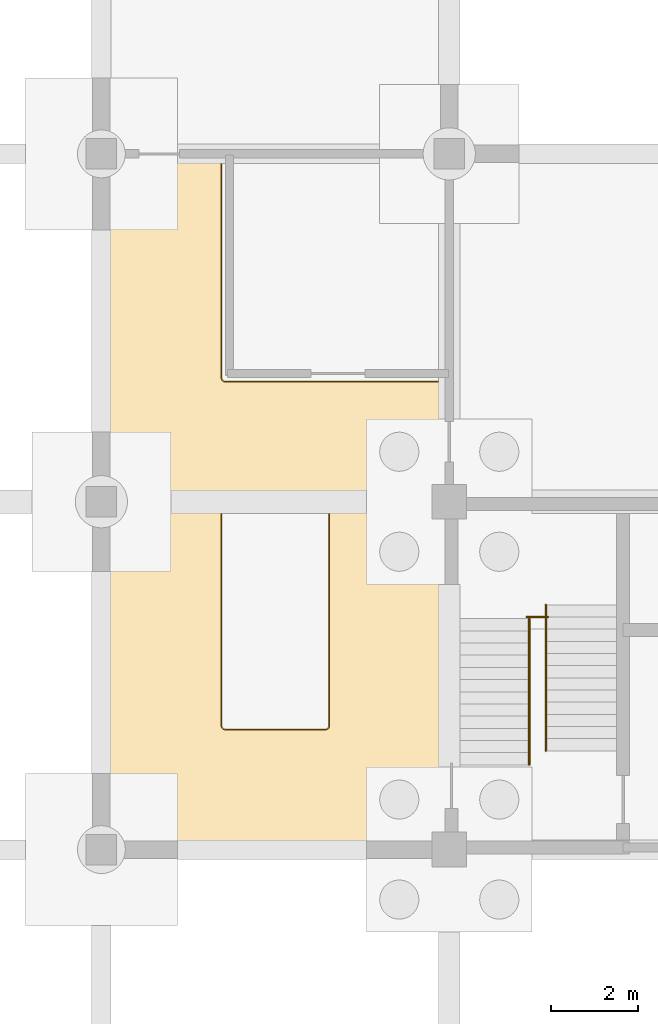
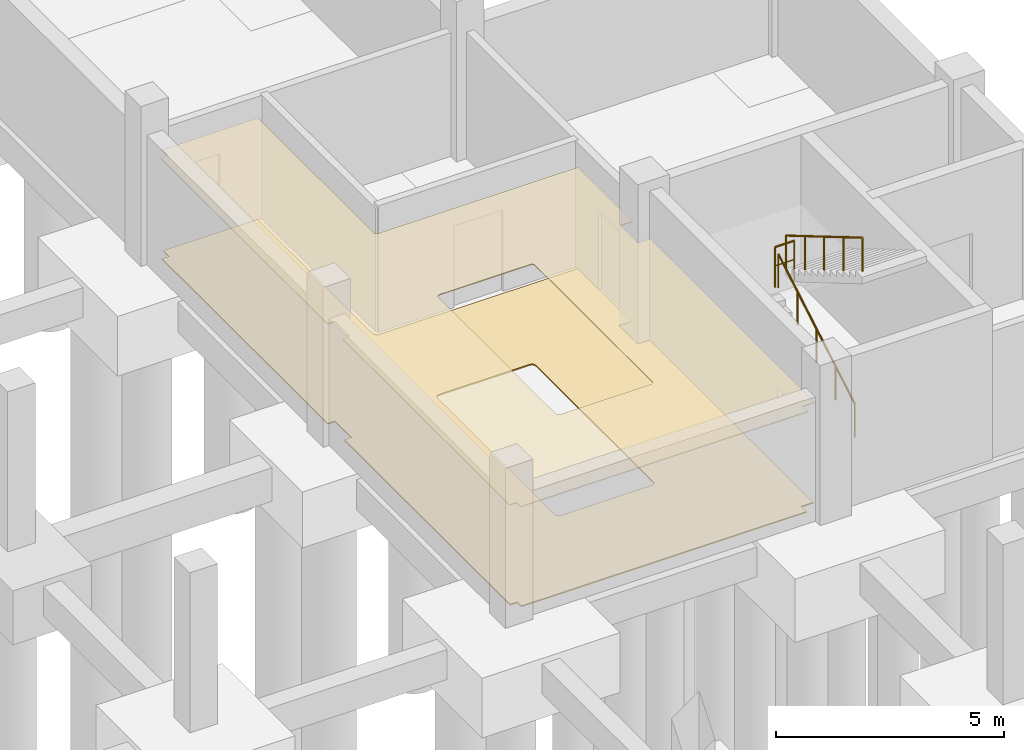
# One storey, part 45 of 48: 3 railings, 2 coverings.
"""IFC4 building model written with IfcOpenShell, lengths in metres."""

import ifcopenshell
import ifcopenshell.guid

model = None  # the IFC model being written
_history = None  # IfcOwnerHistory: only IFC2X3 demands one
_inside = {}  # id of a spatial element -> (the spatial element, [elements in it])
_under = {}  # id of a project, library or spatial element -> (it, [spatial elements below it])
_declared = {}  # id of a project -> (the project, [libraries it declares])
_typed = {}  # id of a type object -> (the type object, [elements of that type])
_made_of = {}  # id of a material, layer set ... -> (it, [elements and type objects made of it])


def new_model(schema):
    """Start an empty IFC model of exactly this schema.

    Asked for "IFC4X3", IfcOpenShell would pick the latest addendum, in which some entities
    have other attributes; the version numbers below select the first issue.
    IFC2X3 requires an IfcOwnerHistory on every rooted entity: one is made here for all.
    """
    global model, _history
    if schema == "IFC4X3":
        model = ifcopenshell.file(schema_version=(4, 3, 0, 0))
    else:
        model = ifcopenshell.file(schema=schema)
    _inside.clear()
    _under.clear()
    _declared.clear()
    _typed.clear()
    _made_of.clear()
    _history = None
    if model.schema == "IFC2X3":
        org = make("IfcOrganization", Name="unknown")
        user = make(
            "IfcPersonAndOrganization",
            ThePerson=make("IfcPerson", FamilyName="unknown"),
            TheOrganization=org,
        )
        app = make(
            "IfcApplication",
            ApplicationDeveloper=org,
            Version="unknown",
            ApplicationFullName="unknown",
            ApplicationIdentifier="unknown",
        )
        _history = make(
            "IfcOwnerHistory",
            OwningUser=user,
            OwningApplication=app,
            ChangeAction="ADDED",
            CreationDate=0,
        )
    return model


def make(cls, **values):
    """One entity of the class cls with the attributes given. An attribute that is None is left unset."""
    return model.create_entity(
        cls, **{name: value for name, value in values.items() if value is not None}
    )


def rooted(cls, **values):
    """An entity with a GlobalId (a new one), such as an element, a storey or a relation."""
    return make(cls, GlobalId=ifcopenshell.guid.new(), OwnerHistory=_history, **values)


def si_unit(unit_type, name, prefix=None):
    """IfcSIUnit, for example si_unit("LENGTHUNIT", "METRE", prefix="MILLI")."""
    return make("IfcSIUnit", UnitType=unit_type, Prefix=prefix, Name=name)


def derived_unit(unit_type, elements):
    """IfcDerivedUnit: a product of units, each with its exponent."""
    return make(
        "IfcDerivedUnit",
        Elements=[
            make("IfcDerivedUnitElement", Unit=unit, Exponent=power)
            for unit, power in elements
        ],
        UnitType=unit_type,
    )


def assignment(units):
    """IfcUnitAssignment: the units of a project."""
    return None if units is None else make("IfcUnitAssignment", Units=units)


def point(xyz):
    """IfcCartesianPoint."""
    return None if xyz is None else make("IfcCartesianPoint", Coordinates=xyz)


def direction(xyz):
    """IfcDirection."""
    return None if xyz is None else make("IfcDirection", DirectionRatios=xyz)


def frame(location, z_axis=None, x_axis=None):
    """IfcAxis2Placement3D, a coordinate frame: its origin and axes. An axis left out is left unset."""
    return make(
        "IfcAxis2Placement3D",
        Location=point(location),
        Axis=direction(z_axis),
        RefDirection=direction(x_axis),
    )


def frame_2d(location, x_axis=None):
    """IfcAxis2Placement2D, a coordinate frame in the plane: its origin and x axis."""
    return make(
        "IfcAxis2Placement2D", Location=point(location), RefDirection=direction(x_axis)
    )


def origin():
    """The frame at (0, 0, 0) with its axes left unset."""
    return frame((0.0, 0.0, 0.0))


def origin_2d():
    """The frame at (0, 0) in the plane with its x axis left unset."""
    return frame_2d((0.0, 0.0))


def place(relative_to, where):
    """IfcLocalPlacement: puts the frame where relative to a parent placement (None: the world)."""
    return make(
        "IfcLocalPlacement", PlacementRelTo=relative_to, RelativePlacement=where
    )


def context(
    kind, dimensions, precision=None, world=None, true_north=None, identifier=None
):
    """IfcGeometricRepresentationContext, for example the 3D "Model" context."""
    return make(
        "IfcGeometricRepresentationContext",
        ContextIdentifier=identifier,
        ContextType=kind,
        CoordinateSpaceDimension=dimensions,
        Precision=precision,
        WorldCoordinateSystem=world,
        TrueNorth=true_north,
    )


def subcontext(parent, identifier, kind, view, scale=None):
    """IfcGeometricRepresentationSubContext, for example "Body" below "Model"."""
    return make(
        "IfcGeometricRepresentationSubContext",
        ContextIdentifier=identifier,
        ContextType=kind,
        ParentContext=parent,
        TargetScale=scale,
        TargetView=view,
    )


def project(units=None, contexts=None):
    """IfcProject with its units and contexts."""
    return rooted(
        "IfcProject",
        Name="project",
        RepresentationContexts=contexts,
        UnitsInContext=assignment(units),
    )


def spatial(cls, under=None, at=None, **own):
    """A site, building, storey or space (cls), placed at a placement, below another one or the project."""
    s = rooted(cls, ObjectPlacement=at, **own)
    if under is not None:
        _under.setdefault(under.id(), (under, []))[1].append(s)
    return s


def polyline(points):
    """IfcPolyline through the points."""
    return make("IfcPolyline", Points=[point(p) for p in points])


def profile(cls, at=None, kind="AREA", **sizes):
    """A parametric profile (cls). Its sizes go by their IFC names, for example OverallWidth=200.0."""
    return make(cls, ProfileType=kind, Position=at, **sizes)


def circle(**sizes):
    """IfcCircleProfileDef."""
    return profile("IfcCircleProfileDef", **sizes)


def outline(outer, holes=None, kind="AREA"):
    """IfcArbitraryClosedProfileDef: a profile drawn as a closed curve; with holes, ...WithVoids."""
    if holes is None:
        return make("IfcArbitraryClosedProfileDef", ProfileType=kind, OuterCurve=outer)
    return make(
        "IfcArbitraryProfileDefWithVoids",
        ProfileType=kind,
        OuterCurve=outer,
        InnerCurves=holes,
    )


def extrude(swept, where, along, depth):
    """IfcExtrudedAreaSolid: the profile swept, set in the frame where, extruded along a direction by depth."""
    return make(
        "IfcExtrudedAreaSolid",
        SweptArea=swept,
        Position=where,
        ExtrudedDirection=direction(along),
        Depth=depth,
    )


def shape(context_of_items, identifier, shape_type, items):
    """IfcShapeRepresentation: the items that make up one representation, for example the "Body"."""
    return make(
        "IfcShapeRepresentation",
        ContextOfItems=context_of_items,
        RepresentationIdentifier=identifier,
        RepresentationType=shape_type,
        Items=items,
    )


def material(Name=None, Category=None):
    """IfcMaterial."""
    return make("IfcMaterial", Name=Name, Category=Category)


def layer(
    of_material, thickness, ventilated=None, Name=None, Category=None, Priority=None
):
    """IfcMaterialLayer: one layer of a wall or slab, of a material (None: an air gap)."""
    return make(
        "IfcMaterialLayer",
        Material=of_material,
        LayerThickness=thickness,
        IsVentilated=ventilated,
        Name=Name,
        Category=Category,
        Priority=Priority,
    )


def layer_set(layers, Name=None):
    """IfcMaterialLayerSet."""
    return make("IfcMaterialLayerSet", MaterialLayers=layers, LayerSetName=Name)


def made_of(thing, what):
    """Note that an element or type object is made of a material, layer set ...; save() writes the relation."""
    if what is not None:
        _made_of.setdefault(what.id(), (what, []))[1].append(thing)
    return thing


def type_object(cls, material=None, **own):
    """A type object (cls), such as IfcWallType, which elements share."""
    return made_of(rooted(cls, **own), material)


def element(
    cls,
    number,
    at=None,
    inside=None,
    cuts=None,
    type_object=None,
    material=None,
    context=None,
    identifier="Body",
    shape_type=None,
    held_by="IfcProductDefinitionShape",
    body=None,
    shapes=None,
    **own,
):
    """One element of the class cls, such as IfcWall. Its Tag is "e" and its number.

    at: its placement. inside: the storey or other place that contains it. cuts: it is an
    opening in that element (IfcRelVoidsElement). A single representation is given by context,
    identifier, shape_type and body (its items); several are given by shapes. held_by: the class
    of the entity that holds the representations. save() writes the other relations.
    """
    e = rooted(cls, Tag="e%d" % number, ObjectPlacement=at, **own)
    if body is not None:
        shapes = [shape(context, identifier, shape_type, body)]
    if shapes is not None:
        e.Representation = make(held_by, Representations=shapes)
    if inside is not None:
        _inside.setdefault(inside.id(), (inside, []))[1].append(e)
    if cuts is not None:
        rooted(
            "IfcRelVoidsElement", RelatingBuildingElement=cuts, RelatedOpeningElement=e
        )
    if type_object is not None:
        _typed.setdefault(type_object.id(), (type_object, []))[1].append(e)
    return made_of(e, material)


def aggregate(whole, parts):
    """IfcRelAggregates: a whole, such as a stair, and the parts it consists of."""
    return rooted("IfcRelAggregates", RelatingObject=whole, RelatedObjects=parts)


def save(model, path):
    """Write the relations noted so far, then the file.

    IfcRelAggregates (storeys below a building ...), IfcRelContainedInSpatialStructure (elements
    in a storey), IfcRelDefinesByType, IfcRelAssociatesMaterial and IfcRelDeclares: one each for
    every whole, place, type object, material and project.
    """
    for whole, parts in _under.values():
        aggregate(whole, parts)
    for where, things in _inside.values():
        rooted(
            "IfcRelContainedInSpatialStructure",
            RelatedElements=things,
            RelatingStructure=where,
        )
    for kind, things in _typed.values():
        rooted("IfcRelDefinesByType", RelatedObjects=things, RelatingType=kind)
    for what, things in _made_of.values():
        rooted("IfcRelAssociatesMaterial", RelatedObjects=things, RelatingMaterial=what)
    for by, libraries in _declared.values():
        rooted("IfcRelDeclares", RelatingContext=by, RelatedDefinitions=libraries)
    model.write(path)


model = new_model("IFC4")

# Units and contexts
model_context = context("Model", 3, precision=1e-05, world=origin(), true_north=direction((0.0, 1.0)))
body_context = subcontext(model_context, "Body", "Model", "MODEL_VIEW")
ifc_project = project(units=[si_unit("LENGTHUNIT", "METRE"), si_unit("AREAUNIT", "SQUARE_METRE"), si_unit("VOLUMEUNIT", "CUBIC_METRE"), si_unit("PLANEANGLEUNIT", "RADIAN"), si_unit("MASSUNIT", "GRAM", prefix="KILO"), derived_unit("THERMALTRANSMITTANCEUNIT", [(si_unit("MASSUNIT", "GRAM", prefix="KILO"), 1), (si_unit("TIMEUNIT", "SECOND"), -3), (si_unit("THERMODYNAMICTEMPERATUREUNIT", "KELVIN"), -1)])], contexts=[model_context])

# Site, building, storey
site_placement = place(None, origin())
site = spatial("IfcSite", under=ifc_project, at=site_placement, CompositionType="ELEMENT")
building_placement = place(site_placement, origin())
building = spatial("IfcBuilding", under=site, at=building_placement, Name="Veyamyaing Civic Hall", CompositionType="ELEMENT")
storey_placement = place(building_placement, frame((0.0, 0.0, -4.2900390625)))
storey = spatial("IfcBuildingStorey", under=building, at=storey_placement, Name="B1", CompositionType="ELEMENT", Elevation=-4.2900390625)

# Coverings
ifc_material_1 = material(Name="Perforated acoustic gypsum ceiling board")
ifc_layer_1 = layer(ifc_material_1, 0.02490234375, Name="Perforated acoustic gypsum ceiling board")
ifc_layer_set_1 = layer_set([ifc_layer_1], Name="Perforated acoustic gypsum ceiling board")
covering_type_1 = type_object("IfcCoveringType", Name="CLG-01", PredefinedType="CEILING", material=ifc_layer_set_1)
covering_1_placement = place(storey_placement, frame((0.0, 0.0, 2.699951171875)))
element("IfcCovering", 1, at=covering_1_placement, inside=storey, type_object=covering_type_1, Name="Acoustic suspended ceiling CLG-01 B1-C07", PredefinedType="CEILING", context=body_context, shape_type="SweptSolid", body=[
    extrude(outline(polyline([(162.77490234375, 26.8525390625), (162.78125, 26.821533203125), (162.79736328125, 26.79736328125), (162.821533203125, 26.78125), (162.8525390625, 26.77490234375), (167.925048828125, 26.77490234375), (167.925048828125, 24.385009765625), (167.614990234375, 24.385009765625), (167.614990234375, 23.614990234375), (167.925048828125, 23.614990234375), (167.925048828125, 16.385009765625), (167.614990234375, 16.385009765625), (167.614990234375, 16.155029296875), (160.3349609375, 16.155029296875), (160.3349609375, 16.3349609375), (160.155029296875, 16.3349609375), (160.155029296875, 23.6650390625), (160.3349609375, 23.6650390625), (160.3349609375, 24.3349609375), (160.155029296875, 24.3349609375), (160.155029296875, 31.6650390625), (160.3349609375, 31.6650390625), (160.3349609375, 31.925048828125), (162.77490234375, 31.925048828125), (162.77490234375, 26.8525390625)]), holes=[polyline([(165.1650390625, 18.77685546875), (165.1845703125, 18.783935546875), (165.2080078125, 18.80322265625), (165.21875, 18.82080078125), (165.22509765625, 18.8525390625), (165.22509765625, 23.99755859375), (165.21875, 24.029296875), (165.207763671875, 24.04736328125), (165.19140625, 24.06201171875), (165.171630859375, 24.071533203125), (165.148193359375, 24.074951171875), (162.8525390625, 24.074951171875), (162.82080078125, 24.068603515625), (162.802490234375, 24.057861328125), (162.787841796875, 24.04150390625), (162.778564453125, 24.021728515625), (162.77490234375, 23.998291015625), (162.77490234375, 18.8525390625), (162.78125, 18.82080078125), (162.792236328125, 18.802490234375), (162.80859375, 18.787841796875), (162.828369140625, 18.778564453125), (162.851806640625, 18.77490234375), (165.1650390625, 18.77685546875)])]), origin(), (0.0, 0.0, 1.0), 0.025146484375),
])
ifc_material_2 = material(Name="Polished Mandalay marble and terrazzo flooring", Category="masonry")
ifc_layer_2 = layer(ifc_material_2, 0.030029296875, Name="Polished Mandalay marble and terrazzo flooring")
ifc_layer_set_2 = layer_set([ifc_layer_2], Name="Polished Mandalay marble and terrazzo flooring")
covering_type_2 = type_object("IfcCoveringType", Name="FLR-01", PredefinedType="FLOORING", material=ifc_layer_set_2)
covering_2_placement = place(storey_placement, origin())
element("IfcCovering", 2, at=covering_2_placement, inside=storey, type_object=covering_type_2, Name="Stone and terrazzo flooring FLR-01 B1-C07", PredefinedType="FLOORING", context=body_context, shape_type="SweptSolid", body=[
    extrude(outline(polyline([(162.75, 26.85009765625), (162.757568359375, 26.811767578125), (162.779296875, 26.779296875), (162.811767578125, 26.757568359375), (162.85009765625, 26.75), (167.89990234375, 26.75), (167.89990234375, 24.409912109375), (167.590087890625, 24.409912109375), (167.590087890625, 23.590087890625), (167.89990234375, 23.590087890625), (167.89990234375, 16.409912109375), (167.590087890625, 16.409912109375), (167.590087890625, 16.179931640625), (160.360107421875, 16.179931640625), (160.360107421875, 16.360107421875), (160.179931640625, 16.360107421875), (160.179931640625, 23.639892578125), (160.360107421875, 23.639892578125), (160.360107421875, 24.360107421875), (160.179931640625, 24.360107421875), (160.179931640625, 31.639892578125), (160.360107421875, 31.639892578125), (160.360107421875, 31.89990234375), (162.75, 31.89990234375), (162.75, 26.85009765625)]), holes=[polyline([(165.16943359375, 18.751953125), (165.197021484375, 18.76171875), (165.227294921875, 18.78662109375), (165.242431640625, 18.811767578125), (165.25, 18.85009765625), (165.25, 24.0), (165.242431640625, 24.038330078125), (165.227294921875, 24.0634765625), (165.20556640625, 24.0830078125), (165.178955078125, 24.095703125), (165.14990234375, 24.10009765625), (162.85009765625, 24.10009765625), (162.811767578125, 24.09228515625), (162.78662109375, 24.077392578125), (162.766845703125, 24.0556640625), (162.75439453125, 24.029052734375), (162.75, 24.0), (162.75, 18.85009765625), (162.757568359375, 18.811767578125), (162.772705078125, 18.78662109375), (162.79443359375, 18.766845703125), (162.821044921875, 18.75439453125), (162.85009765625, 18.75), (165.16943359375, 18.751953125)])]), origin(), (0.0, 0.0, 1.0), 0.030029296875),
])

# Railings
ifc_material_3 = material(Name="Steel S355J2", Category="steel")
railing_type_1 = type_object("IfcRailingType", Name="RL-01", PredefinedType="BALUSTRADE", material=ifc_material_3)
railing_1_placement = place(storey_placement, frame((169.780029296875, 21.35009765625, 2.14501953125)))
element("IfcRailing", 3, at=railing_1_placement, inside=storey, type_object=railing_type_1, Name="Half-landing slot guard RL-01 ST-10 B1", PredefinedType="BALUSTRADE", context=body_context, shape_type="SweptSolid", body=[
    extrude(circle(Radius=0.02392578125, at=origin_2d()), frame((0.0, 0.0, 1.076171875), z_axis=(1.0, 0.0, 0.0), x_axis=(0.0, 1.0, 0.0)), (0.0, 0.0, 1.0), 0.489990234375),
    extrude(circle(Radius=0.01416015625, at=origin_2d()), frame((0.0, 0.0, 0.572021484375), z_axis=(1.0, 0.0, 0.0), x_axis=(0.0, 1.0, 0.0)), (0.0, 0.0, 1.0), 0.489990234375),
    extrude(circle(Radius=0.02099609375, at=origin_2d()), origin(), (0.0, 0.0, 1.0), 1.052001953125),
    extrude(circle(Radius=0.02099609375, at=origin_2d()), frame((0.489990234375, 0.0, 0.0)), (0.0, 0.0, 1.0), 1.052001953125),
])
railing_type_2 = type_object("IfcRailingType", Name="RL-02", PredefinedType="HANDRAIL", material=ifc_material_3)
railing_2_placement = place(storey_placement, frame((169.840087890625, 17.949951171875, 0.1650390625)))
element("IfcRailing", 4, at=railing_2_placement, inside=storey, type_object=railing_type_2, Name="Stair pitch handrail RL-02 ST-10 B1.1", PredefinedType="HANDRAIL", context=body_context, shape_type="SweptSolid", body=[
    extrude(circle(Radius=0.02392578125, at=origin_2d()), frame((0.0, 0.0, 0.89599609375), z_axis=(0.0, 0.861547751209, 0.507676543073), x_axis=(-1.0, 0.0, 0.0)), (0.0, 0.0, 1.0), 3.900146484375),
    extrude(circle(Radius=0.02099609375, at=origin_2d()), origin(), (0.0, 0.0, 1.0), 0.871826171875),
    extrude(circle(Radius=0.02099609375, at=origin_2d()), frame((0.0, 0.840087890625, 0.4951171875)), (0.0, 0.0, 1.0), 0.871826171875),
    extrude(circle(Radius=0.02099609375, at=origin_2d()), frame((0.0, 1.68017578125, 0.989990234375)), (0.0, 0.0, 1.0), 0.871826171875),
    extrude(circle(Radius=0.02099609375, at=origin_2d()), frame((0.0, 2.52001953125, 1.48486328125)), (0.0, 0.0, 1.0), 0.871826171875),
    extrude(circle(Radius=0.02099609375, at=origin_2d()), frame((0.0, 3.360107421875, 1.97998046875)), (0.0, 0.0, 1.0), 0.871826171875),
])
railing_3_placement = place(storey_placement, frame((170.219970703125, 21.6298828125, 2.31005859375)))
element("IfcRailing", 5, at=railing_3_placement, inside=storey, type_object=railing_type_2, Name="Stair pitch handrail RL-02 ST-10 B1.2", PredefinedType="HANDRAIL", context=body_context, shape_type="SweptSolid", body=[
    extrude(circle(Radius=0.02392578125, at=origin_2d()), frame((0.0, 0.0, 0.89599609375), z_axis=(0.0, -0.861531615964, 0.507703924246), x_axis=(1.0, 0.0, 0.0)), (0.0, 0.0, 1.0), 3.89990234375),
    extrude(circle(Radius=0.02099609375, at=origin_2d()), origin(), (0.0, 0.0, 1.0), 0.871826171875),
    extrude(circle(Radius=0.02099609375, at=origin_2d()), frame((0.0, -0.83984375, 0.4951171875)), (0.0, 0.0, 1.0), 0.871826171875),
    extrude(circle(Radius=0.02099609375, at=origin_2d()), frame((0.0, -1.679931640625, 0.989990234375)), (0.0, 0.0, 1.0), 0.871826171875),
    extrude(circle(Radius=0.02099609375, at=origin_2d()), frame((0.0, -2.52001953125, 1.48486328125)), (0.0, 0.0, 1.0), 0.871826171875),
    extrude(circle(Radius=0.02099609375, at=origin_2d()), frame((0.0, -3.35986328125, 1.97998046875)), (0.0, 0.0, 1.0), 0.871826171875),
])

save(model, "model.ifc")
